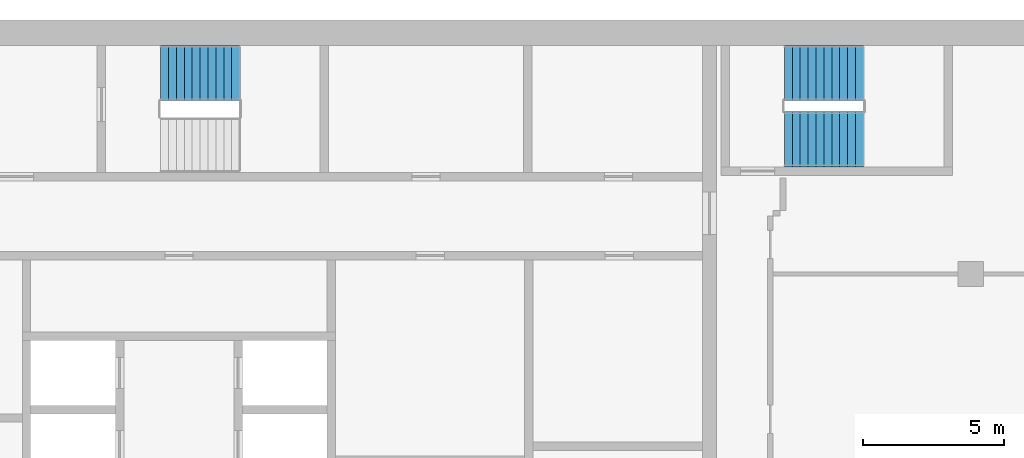
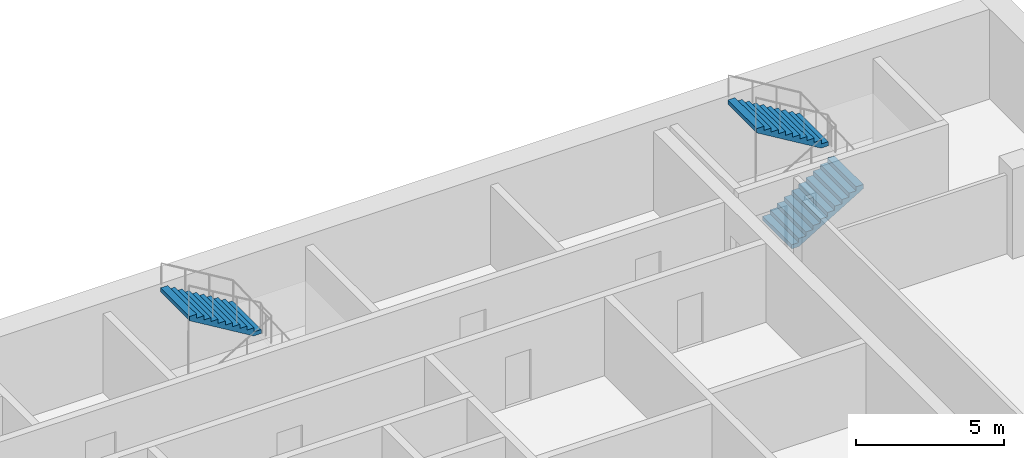
# One storey, part 10 of 13: 3 stair flights, 2 elements without a shape of their own.
"""IFC4 building model written with IfcOpenShell, lengths in metres."""

from ifc_helpers import new_model, si_unit, direction, frame, origin, place, context, subcontext, project, spatial, polyline, outline, extrude, material, type_object, element, aggregate, save


model = new_model("IFC4")

# Units and contexts
model_context = context("Model", 3, precision=1e-05, world=origin(), true_north=direction((0.0, 1.0)))
body_context = subcontext(model_context, "Body", "Model", "MODEL_VIEW")
ifc_project = project(units=[si_unit("LENGTHUNIT", "METRE"), si_unit("AREAUNIT", "SQUARE_METRE"), si_unit("VOLUMEUNIT", "CUBIC_METRE"), si_unit("PLANEANGLEUNIT", "RADIAN"), si_unit("MASSUNIT", "GRAM", prefix="KILO")], contexts=[model_context])

# Site, building, storey
site_placement = place(None, origin())
site = spatial("IfcSite", under=ifc_project, at=site_placement, CompositionType="ELEMENT")
building_placement = place(site_placement, origin())
building = spatial("IfcBuilding", under=site, at=building_placement, Name="Hunhe Ridgeline Campus", CompositionType="ELEMENT")
storey_placement = place(building_placement, frame((0.0, 0.0, 299.300048828125)))
storey = spatial("IfcBuildingStorey", under=building, at=storey_placement, Name="L77", CompositionType="ELEMENT", Elevation=299.300048828125)

# Stair, stair flight
ifc_material = material(Name="Concrete C40", Category="concrete")
stair_type = type_object("IfcStairType", Name="Reinforced concrete dog-leg stair 1950 Concrete C40", PredefinedType="HALF_TURN_STAIR", material=ifc_material)
stair_1_placement = place(storey_placement, origin())
stair_1 = element("IfcStair", 1, at=stair_1_placement, inside=storey, type_object=stair_type, Name="L77 S1", PredefinedType="HALF_TURN_STAIR")
stair_flight_type = type_object("IfcStairFlightType", Name="Reinforced concrete stair flight 1950 Concrete C40", PredefinedType="STRAIGHT", material=ifc_material)
stair_flight_1_placement = place(storey_placement, frame((19.10009765625, 97.125, 1.849853515625), z_axis=(0.0, 0.0, 1.0), x_axis=(-1.0, 0.0, 0.0)))
stair_flight_1 = element("IfcStairFlight", 2, at=stair_flight_1_placement, type_object=stair_flight_type, Name="ST1 flight 2", NumberOfRisers=11, NumberOfTreads=10, PredefinedType="STRAIGHT", RiserHeight=0.168181818, TreadLength=0.28, context=body_context, shape_type="SweptSolid", body=[
    extrude(outline(polyline([(0.0, 0.0), (0.0, 0.168212890625), (0.280029296875, 0.168212890625), (0.280029296875, 0.33642578125), (0.56005859375, 0.33642578125), (0.56005859375, 0.504638671875), (0.840087890625, 0.504638671875), (0.840087890625, 0.672607421875), (1.1201171875, 0.672607421875), (1.1201171875, 0.8408203125), (1.39990234375, 0.8408203125), (1.39990234375, 1.009033203125), (1.679931640625, 1.009033203125), (1.679931640625, 1.17724609375), (1.9599609375, 1.17724609375), (1.9599609375, 1.345458984375), (2.239990234375, 1.345458984375), (2.239990234375, 1.513671875), (2.52001953125, 1.513671875), (2.52001953125, 1.681884765625), (2.800048828125, 1.681884765625), (2.800048828125, 1.85009765625), (2.800048828125, 1.5068359375), (0.291015625, 0.0), (0.0, 0.0)])), frame((0.0, 0.97509765625, 0.0), z_axis=(0.0, -1.0, 0.0), x_axis=(1.0, 0.0, 0.0)), (0.0, 0.0, 1.0), 1.949951171875),
    extrude(outline(polyline([(0.030029296875, 0.030029296875), (0.030029296875, 0.13818359375), (0.31005859375, 0.13818359375), (0.31005859375, 0.306396484375), (0.590087890625, 0.306396484375), (0.590087890625, 0.474609375), (0.8701171875, 0.474609375), (0.8701171875, 0.642578125), (1.14990234375, 0.642578125), (1.14990234375, 0.810791015625), (1.429931640625, 0.810791015625), (1.429931640625, 0.97900390625), (1.7099609375, 0.97900390625), (1.7099609375, 1.147216796875), (1.989990234375, 1.147216796875), (1.989990234375, 1.3154296875), (2.27001953125, 1.3154296875), (2.27001953125, 1.483642578125), (2.550048828125, 1.483642578125), (2.550048828125, 1.65185546875), (2.77001953125, 1.65185546875), (2.77001953125, 1.52392578125), (0.28271484375, 0.030029296875), (0.030029296875, 0.030029296875)])), frame((0.0, -0.070068359375, 0.0), z_axis=(0.0, -1.0, 0.0), x_axis=(1.0, 0.0, 0.0)), (0.0, 0.0, 1.0), 0.019775390625),
    extrude(outline(polyline([(0.030029296875, 0.030029296875), (0.030029296875, 0.13818359375), (0.31005859375, 0.13818359375), (0.31005859375, 0.306396484375), (0.590087890625, 0.306396484375), (0.590087890625, 0.474609375), (0.8701171875, 0.474609375), (0.8701171875, 0.642578125), (1.14990234375, 0.642578125), (1.14990234375, 0.810791015625), (1.429931640625, 0.810791015625), (1.429931640625, 0.97900390625), (1.7099609375, 0.97900390625), (1.7099609375, 1.147216796875), (1.989990234375, 1.147216796875), (1.989990234375, 1.3154296875), (2.27001953125, 1.3154296875), (2.27001953125, 1.483642578125), (2.550048828125, 1.483642578125), (2.550048828125, 1.65185546875), (2.77001953125, 1.65185546875), (2.77001953125, 1.52392578125), (0.28271484375, 0.030029296875), (0.030029296875, 0.030029296875)])), frame((0.0, 0.010009765625, 0.0), z_axis=(0.0, -1.0, 0.0), x_axis=(1.0, 0.0, 0.0)), (0.0, 0.0, 1.0), 0.019775390625),
    extrude(outline(polyline([(0.030029296875, 0.030029296875), (0.030029296875, 0.13818359375), (0.31005859375, 0.13818359375), (0.31005859375, 0.306396484375), (0.590087890625, 0.306396484375), (0.590087890625, 0.474609375), (0.8701171875, 0.474609375), (0.8701171875, 0.642578125), (1.14990234375, 0.642578125), (1.14990234375, 0.810791015625), (1.429931640625, 0.810791015625), (1.429931640625, 0.97900390625), (1.7099609375, 0.97900390625), (1.7099609375, 1.147216796875), (1.989990234375, 1.147216796875), (1.989990234375, 1.3154296875), (2.27001953125, 1.3154296875), (2.27001953125, 1.483642578125), (2.550048828125, 1.483642578125), (2.550048828125, 1.65185546875), (2.77001953125, 1.65185546875), (2.77001953125, 1.52392578125), (0.28271484375, 0.030029296875), (0.030029296875, 0.030029296875)])), frame((0.0, 0.090087890625, 0.0), z_axis=(0.0, -1.0, 0.0), x_axis=(1.0, 0.0, 0.0)), (0.0, 0.0, 1.0), 0.019775390625),
])
aggregate(stair_1, [stair_flight_1])

# Stair, stair flights
stair_2_placement = place(storey_placement, origin())
stair_2 = element("IfcStair", 3, at=stair_2_placement, inside=storey, type_object=stair_type, Name="L77 E1", PredefinedType="HALF_TURN_STAIR")
stair_flight_2_placement = place(storey_placement, frame((38.39990234375, 94.77490234375, 0.0), z_axis=(0.0, 0.0, 1.0), x_axis=(1.0, 0.0, 0.0)))
stair_flight_2 = element("IfcStairFlight", 4, at=stair_flight_2_placement, type_object=stair_flight_type, Name="ST5 flight 1", NumberOfRisers=11, NumberOfTreads=10, PredefinedType="STRAIGHT", RiserHeight=0.168181818, TreadLength=0.28, context=body_context, shape_type="SweptSolid", body=[
    extrude(outline(polyline([(0.0, 0.0), (0.0, 0.168212890625), (0.280029296875, 0.168212890625), (0.280029296875, 0.33642578125), (0.56005859375, 0.33642578125), (0.56005859375, 0.504638671875), (0.840087890625, 0.504638671875), (0.840087890625, 0.672607421875), (1.1201171875, 0.672607421875), (1.1201171875, 0.8408203125), (1.39990234375, 0.8408203125), (1.39990234375, 1.009033203125), (1.679931640625, 1.009033203125), (1.679931640625, 1.17724609375), (1.9599609375, 1.17724609375), (1.9599609375, 1.345458984375), (2.239990234375, 1.345458984375), (2.239990234375, 1.513671875), (2.52001953125, 1.513671875), (2.52001953125, 1.681884765625), (2.800048828125, 1.681884765625), (2.800048828125, 1.85009765625), (2.800048828125, 1.5068359375), (0.291015625, 0.0), (0.0, 0.0)])), frame((0.0, 0.97509765625, 0.0), z_axis=(0.0, -1.0, 0.0), x_axis=(1.0, 0.0, 0.0)), (0.0, 0.0, 1.0), 1.949951171875),
    extrude(outline(polyline([(0.030029296875, 0.030029296875), (0.030029296875, 0.13818359375), (0.31005859375, 0.13818359375), (0.31005859375, 0.306396484375), (0.590087890625, 0.306396484375), (0.590087890625, 0.474609375), (0.8701171875, 0.474609375), (0.8701171875, 0.642578125), (1.14990234375, 0.642578125), (1.14990234375, 0.810791015625), (1.429931640625, 0.810791015625), (1.429931640625, 0.97900390625), (1.7099609375, 0.97900390625), (1.7099609375, 1.147216796875), (1.989990234375, 1.147216796875), (1.989990234375, 1.3154296875), (2.27001953125, 1.3154296875), (2.27001953125, 1.483642578125), (2.550048828125, 1.483642578125), (2.550048828125, 1.65185546875), (2.77001953125, 1.65185546875), (2.77001953125, 1.52392578125), (0.28271484375, 0.030029296875), (0.030029296875, 0.030029296875)])), frame((0.0, -0.070068359375, 0.0), z_axis=(0.0, -1.0, 0.0), x_axis=(1.0, 0.0, 0.0)), (0.0, 0.0, 1.0), 0.019775390625),
    extrude(outline(polyline([(0.030029296875, 0.030029296875), (0.030029296875, 0.13818359375), (0.31005859375, 0.13818359375), (0.31005859375, 0.306396484375), (0.590087890625, 0.306396484375), (0.590087890625, 0.474609375), (0.8701171875, 0.474609375), (0.8701171875, 0.642578125), (1.14990234375, 0.642578125), (1.14990234375, 0.810791015625), (1.429931640625, 0.810791015625), (1.429931640625, 0.97900390625), (1.7099609375, 0.97900390625), (1.7099609375, 1.147216796875), (1.989990234375, 1.147216796875), (1.989990234375, 1.3154296875), (2.27001953125, 1.3154296875), (2.27001953125, 1.483642578125), (2.550048828125, 1.483642578125), (2.550048828125, 1.65185546875), (2.77001953125, 1.65185546875), (2.77001953125, 1.52392578125), (0.28271484375, 0.030029296875), (0.030029296875, 0.030029296875)])), frame((0.0, 0.010009765625, 0.0), z_axis=(0.0, -1.0, 0.0), x_axis=(1.0, 0.0, 0.0)), (0.0, 0.0, 1.0), 0.019775390625),
    extrude(outline(polyline([(0.030029296875, 0.030029296875), (0.030029296875, 0.13818359375), (0.31005859375, 0.13818359375), (0.31005859375, 0.306396484375), (0.590087890625, 0.306396484375), (0.590087890625, 0.474609375), (0.8701171875, 0.474609375), (0.8701171875, 0.642578125), (1.14990234375, 0.642578125), (1.14990234375, 0.810791015625), (1.429931640625, 0.810791015625), (1.429931640625, 0.97900390625), (1.7099609375, 0.97900390625), (1.7099609375, 1.147216796875), (1.989990234375, 1.147216796875), (1.989990234375, 1.3154296875), (2.27001953125, 1.3154296875), (2.27001953125, 1.483642578125), (2.550048828125, 1.483642578125), (2.550048828125, 1.65185546875), (2.77001953125, 1.65185546875), (2.77001953125, 1.52392578125), (0.28271484375, 0.030029296875), (0.030029296875, 0.030029296875)])), frame((0.0, 0.090087890625, 0.0), z_axis=(0.0, -1.0, 0.0), x_axis=(1.0, 0.0, 0.0)), (0.0, 0.0, 1.0), 0.019775390625),
])
stair_flight_3_placement = place(storey_placement, frame((41.199951171875, 97.125, 1.849853515625), z_axis=(0.0, 0.0, 1.0), x_axis=(-1.0, 0.0, 0.0)))
stair_flight_3 = element("IfcStairFlight", 5, at=stair_flight_3_placement, type_object=stair_flight_type, Name="ST5 flight 2", NumberOfRisers=11, NumberOfTreads=10, PredefinedType="STRAIGHT", RiserHeight=0.168181818, TreadLength=0.28, context=body_context, shape_type="SweptSolid", body=[
    extrude(outline(polyline([(0.0, 0.0), (0.0, 0.168212890625), (0.280029296875, 0.168212890625), (0.280029296875, 0.33642578125), (0.56005859375, 0.33642578125), (0.56005859375, 0.504638671875), (0.840087890625, 0.504638671875), (0.840087890625, 0.672607421875), (1.1201171875, 0.672607421875), (1.1201171875, 0.8408203125), (1.39990234375, 0.8408203125), (1.39990234375, 1.009033203125), (1.679931640625, 1.009033203125), (1.679931640625, 1.17724609375), (1.9599609375, 1.17724609375), (1.9599609375, 1.345458984375), (2.239990234375, 1.345458984375), (2.239990234375, 1.513671875), (2.52001953125, 1.513671875), (2.52001953125, 1.681884765625), (2.800048828125, 1.681884765625), (2.800048828125, 1.85009765625), (2.800048828125, 1.5068359375), (0.291015625, 0.0), (0.0, 0.0)])), frame((0.0, 0.97509765625, 0.0), z_axis=(0.0, -1.0, 0.0), x_axis=(1.0, 0.0, 0.0)), (0.0, 0.0, 1.0), 1.949951171875),
    extrude(outline(polyline([(0.030029296875, 0.030029296875), (0.030029296875, 0.13818359375), (0.31005859375, 0.13818359375), (0.31005859375, 0.306396484375), (0.590087890625, 0.306396484375), (0.590087890625, 0.474609375), (0.8701171875, 0.474609375), (0.8701171875, 0.642578125), (1.14990234375, 0.642578125), (1.14990234375, 0.810791015625), (1.429931640625, 0.810791015625), (1.429931640625, 0.97900390625), (1.7099609375, 0.97900390625), (1.7099609375, 1.147216796875), (1.989990234375, 1.147216796875), (1.989990234375, 1.3154296875), (2.27001953125, 1.3154296875), (2.27001953125, 1.483642578125), (2.550048828125, 1.483642578125), (2.550048828125, 1.65185546875), (2.77001953125, 1.65185546875), (2.77001953125, 1.52392578125), (0.28271484375, 0.030029296875), (0.030029296875, 0.030029296875)])), frame((0.0, -0.070068359375, 0.0), z_axis=(0.0, -1.0, 0.0), x_axis=(1.0, 0.0, 0.0)), (0.0, 0.0, 1.0), 0.019775390625),
    extrude(outline(polyline([(0.030029296875, 0.030029296875), (0.030029296875, 0.13818359375), (0.31005859375, 0.13818359375), (0.31005859375, 0.306396484375), (0.590087890625, 0.306396484375), (0.590087890625, 0.474609375), (0.8701171875, 0.474609375), (0.8701171875, 0.642578125), (1.14990234375, 0.642578125), (1.14990234375, 0.810791015625), (1.429931640625, 0.810791015625), (1.429931640625, 0.97900390625), (1.7099609375, 0.97900390625), (1.7099609375, 1.147216796875), (1.989990234375, 1.147216796875), (1.989990234375, 1.3154296875), (2.27001953125, 1.3154296875), (2.27001953125, 1.483642578125), (2.550048828125, 1.483642578125), (2.550048828125, 1.65185546875), (2.77001953125, 1.65185546875), (2.77001953125, 1.52392578125), (0.28271484375, 0.030029296875), (0.030029296875, 0.030029296875)])), frame((0.0, 0.010009765625, 0.0), z_axis=(0.0, -1.0, 0.0), x_axis=(1.0, 0.0, 0.0)), (0.0, 0.0, 1.0), 0.019775390625),
    extrude(outline(polyline([(0.030029296875, 0.030029296875), (0.030029296875, 0.13818359375), (0.31005859375, 0.13818359375), (0.31005859375, 0.306396484375), (0.590087890625, 0.306396484375), (0.590087890625, 0.474609375), (0.8701171875, 0.474609375), (0.8701171875, 0.642578125), (1.14990234375, 0.642578125), (1.14990234375, 0.810791015625), (1.429931640625, 0.810791015625), (1.429931640625, 0.97900390625), (1.7099609375, 0.97900390625), (1.7099609375, 1.147216796875), (1.989990234375, 1.147216796875), (1.989990234375, 1.3154296875), (2.27001953125, 1.3154296875), (2.27001953125, 1.483642578125), (2.550048828125, 1.483642578125), (2.550048828125, 1.65185546875), (2.77001953125, 1.65185546875), (2.77001953125, 1.52392578125), (0.28271484375, 0.030029296875), (0.030029296875, 0.030029296875)])), frame((0.0, 0.090087890625, 0.0), z_axis=(0.0, -1.0, 0.0), x_axis=(1.0, 0.0, 0.0)), (0.0, 0.0, 1.0), 0.019775390625),
])
aggregate(stair_2, [stair_flight_2, stair_flight_3])

save(model, "model.ifc")
